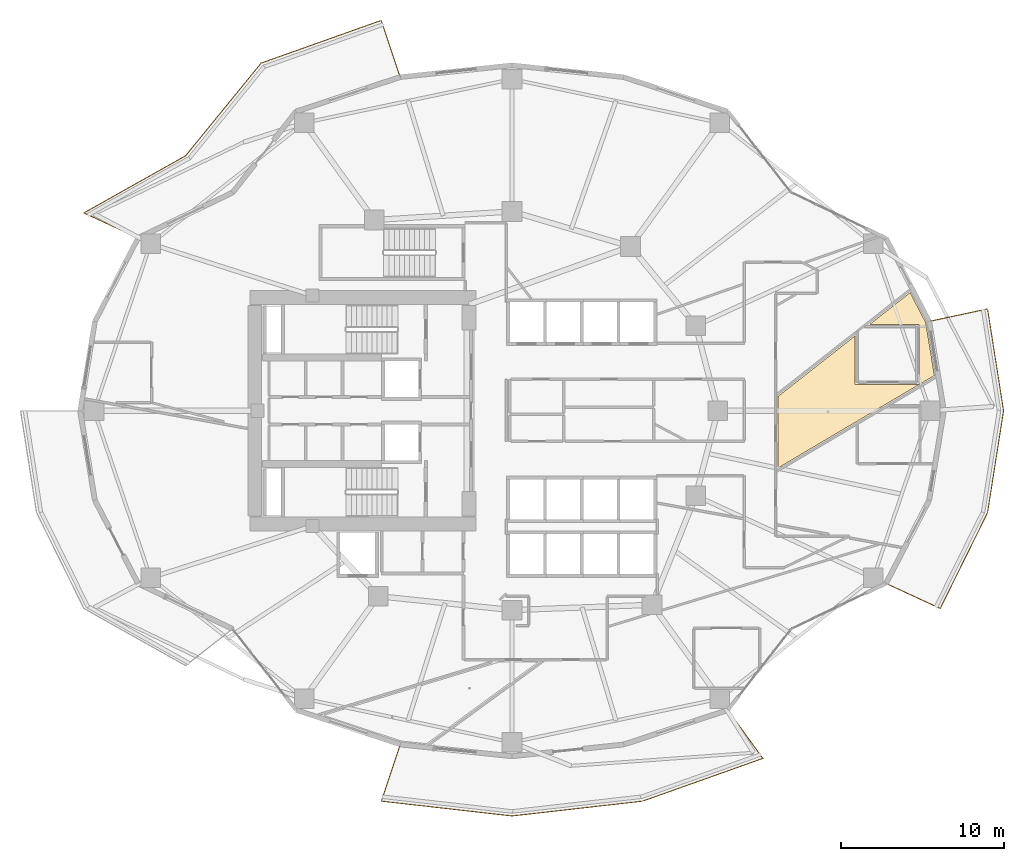
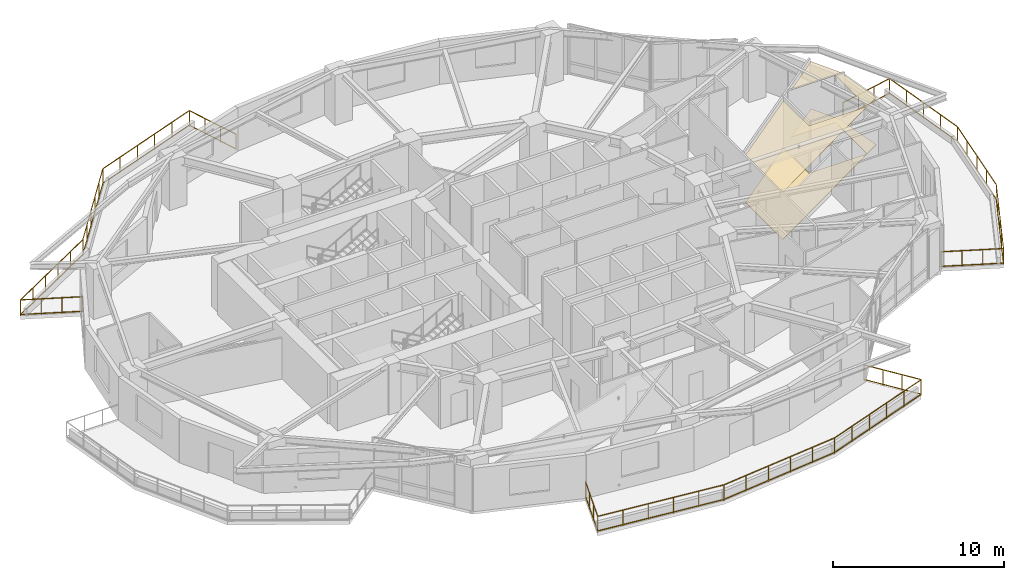
# One storey, part 18 of 19: 3 railings, 2 coverings.
"""IFC4 building model written with IfcOpenShell, lengths in metres."""

from ifc_helpers import new_model, si_unit, direction, frame, origin, origin_2d, place, context, subcontext, project, spatial, polyline, rectangle, outline, extrude, material, layer, layer_set, type_object, element, save


model = new_model("IFC4")

# Units and contexts
model_context = context("Model", 3, precision=1e-05, world=origin(), true_north=direction((0.0, 1.0)))
body_context = subcontext(model_context, "Body", "Model", "MODEL_VIEW")
ifc_project = project(units=[si_unit("LENGTHUNIT", "METRE"), si_unit("AREAUNIT", "SQUARE_METRE"), si_unit("VOLUMEUNIT", "CUBIC_METRE"), si_unit("PLANEANGLEUNIT", "RADIAN"), si_unit("MASSUNIT", "GRAM", prefix="KILO")], contexts=[model_context])

# Site, building, storey
site_placement = place(None, origin())
site = spatial("IfcSite", under=ifc_project, at=site_placement, CompositionType="ELEMENT")
building_placement = place(site_placement, origin())
building = spatial("IfcBuilding", under=site, at=building_placement, Name="Kolvaren Gate Tower and Convention Centre", CompositionType="ELEMENT")
storey_placement = place(building_placement, frame((0.0, 0.0, 68.85009765625)))
storey = spatial("IfcBuildingStorey", under=building, at=storey_placement, Name="L16", CompositionType="ELEMENT", Elevation=68.85009765625)

# Coverings
ifc_material_1 = material(Name="Perforated Mineral-Fibre Acoustic Ceiling Tile 18 mm", Category="gypsum")
ifc_layer_1 = layer(ifc_material_1, 0.01806640625)
ifc_layer_set_1 = layer_set([ifc_layer_1], Name="Perforated Mineral-Fibre Acoustic Ceiling Tile 18 mm")
covering_type_1 = type_object("IfcCoveringType", Name="ARCH-COV-CEIL-18", PredefinedType="CEILING", material=ifc_layer_set_1)
covering_1_placement = place(storey_placement, frame((0.0, 0.0, 3.389892578125)))
element("IfcCovering", 1, at=covering_1_placement, inside=storey, type_object=covering_type_1, Name="Legal Chambers Cellular Office Acoustic Suspended Ceiling", PredefinedType="CEILING", context=body_context, shape_type="SweptSolid", body=[
    extrude(outline(polyline([(55.98388671875, 29.158935546875), (46.409912109375, 23.4970703125), (46.409912109375, 27.87890625), (51.110107421875, 31.572021484375), (51.110107421875, 28.610107421875), (55.0400390625, 28.610107421875), (55.0400390625, 32.2900390625), (52.02392578125, 32.2900390625), (54.5009765625, 34.236083984375), (55.449951171875, 32.403076171875), (55.98388671875, 29.158935546875)])), origin(), (0.0, 0.0, 1.0), 0.01806640625),
])
ifc_material_2 = material(Name="Honed Sabana Limestone Terrazzo Flooring 30 mm", Category="masonry")
ifc_layer_2 = layer(ifc_material_2, 0.030029296875)
ifc_layer_set_2 = layer_set([ifc_layer_2], Name="Honed Sabana Limestone Terrazzo Flooring 30 mm")
covering_type_2 = type_object("IfcCoveringType", Name="ARCH-COV-FLR-30", PredefinedType="FLOORING", material=ifc_layer_set_2)
covering_2_placement = place(storey_placement, origin())
element("IfcCovering", 2, at=covering_2_placement, inside=storey, type_object=covering_type_2, Name="Legal Chambers Cellular Office Interior Finish Flooring", PredefinedType="FLOORING", context=body_context, shape_type="SweptSolid", body=[
    extrude(outline(polyline([(55.98388671875, 29.158935546875), (46.409912109375, 23.4970703125), (46.409912109375, 27.87890625), (51.110107421875, 31.572021484375), (51.110107421875, 28.610107421875), (55.0400390625, 28.610107421875), (55.0400390625, 32.2900390625), (52.02392578125, 32.2900390625), (54.5009765625, 34.236083984375), (55.449951171875, 32.403076171875), (55.98388671875, 29.158935546875)])), origin(), (0.0, 0.0, 1.0), 0.02978515625),
])

# Railings
ifc_material_3 = material(Name="Brushed Stainless Steel Grade 316L", Category="steel")
railing_type = type_object("IfcRailingType", Name="ARCH-RL-GUARD-1150", PredefinedType="GUARDRAIL", material=ifc_material_3)
railing_1_placement = place(storey_placement, frame((23.282470703125, 47.42919921875, 0.0)))
element("IfcRailing", 3, at=railing_1_placement, inside=storey, type_object=railing_type, Name="Tower L16 Terrace Perimeter Guardrail GR-1", PredefinedType="GUARDRAIL", context=body_context, shape_type="SweptSolid", body=[
    extrude(rectangle(XDim=0.048095703125, YDim=0.048095703125, at=origin_2d()), frame((-0.0087890625, 0.026611328125, 1.1259765625), z_axis=(-0.317568160167, 0.94823544737, 0.0), x_axis=(-0.94823544737, -0.317568160167, 0.0)), (0.0, 0.0, 1.0), 3.60400390625),
    extrude(rectangle(XDim=0.048095703125, YDim=0.048095703125, at=origin_2d()), frame((-0.0087890625, 0.026611328125, 0.083984375), z_axis=(-0.317568160167, 0.94823544737, 0.0), x_axis=(-0.94823544737, -0.317568160167, 0.0)), (0.0, 0.0, 1.0), 3.60400390625),
    extrude(rectangle(XDim=0.048095703125, YDim=0.048095703125, at=origin_2d()), frame((-1.188720703125, 3.46142578125, 1.1259765625), z_axis=(-0.942200211781, -0.335050385643, 0.0), x_axis=(0.335050385643, -0.942200211781, 0.0)), (0.0, 0.0, 1.0), 7.7509765625),
    extrude(rectangle(XDim=0.048095703125, YDim=0.048095703125, at=origin_2d()), frame((-1.188720703125, 3.46142578125, 0.083984375), z_axis=(-0.942200211781, -0.335050385643, 0.0), x_axis=(0.335050385643, -0.942200211781, 0.0)), (0.0, 0.0, 1.0), 7.7509765625),
    extrude(rectangle(XDim=0.048095703125, YDim=0.048095703125, at=origin_2d()), frame((-8.535888671875, 0.833251953125, 1.1259765625), z_axis=(-0.631819273026, -0.775115737315, 0.0), x_axis=(0.775115737315, -0.631819273026, 0.0)), (0.0, 0.0, 1.0), 7.259765625),
    extrude(rectangle(XDim=0.048095703125, YDim=0.048095703125, at=origin_2d()), frame((-8.535888671875, 0.833251953125, 0.083984375), z_axis=(-0.631819273026, -0.775115737315, 0.0), x_axis=(0.775115737315, -0.631819273026, 0.0)), (0.0, 0.0, 1.0), 7.259765625),
    extrude(rectangle(XDim=0.048095703125, YDim=0.048095703125, at=origin_2d()), frame((-13.164794921875, -4.829345703125, 1.1259765625), z_axis=(-0.871783301661, -0.489891697159, 0.0), x_axis=(0.489891697159, -0.871783301661, 0.0)), (0.0, 0.0, 1.0), 7.096435546875),
    extrude(rectangle(XDim=0.048095703125, YDim=0.048095703125, at=origin_2d()), frame((-13.164794921875, -4.829345703125, 0.083984375), z_axis=(-0.871783301661, -0.489891697159, 0.0), x_axis=(0.489891697159, -0.871783301661, 0.0)), (0.0, 0.0, 1.0), 7.096435546875),
    extrude(rectangle(XDim=0.048095703125, YDim=0.048095703125, at=origin_2d()), frame((-19.350341796875, -8.331298828125, 1.1259765625), z_axis=(0.907846116663, -0.419303503993, 0.0), x_axis=(0.419303503993, 0.907846116663, 0.0)), (0.0, 0.0, 1.0), 3.60400390625),
    extrude(rectangle(XDim=0.048095703125, YDim=0.048095703125, at=origin_2d()), frame((-19.350341796875, -8.331298828125, 0.083984375), z_axis=(0.907846116663, -0.419303503993, 0.0), x_axis=(0.419303503993, 0.907846116663, 0.0)), (0.0, 0.0, 1.0), 3.60400390625),
    extrude(rectangle(XDim=0.0419921875, YDim=0.0419921875, at=origin_2d()), origin(), (0.0, 0.0, 1.0), 1.14990234375),
    extrude(rectangle(XDim=0.0419921875, YDim=0.0419921875, at=origin_2d()), frame((-1.162353515625, 3.470703125, 0.0)), (0.0, 0.0, 1.0), 1.14990234375),
    extrude(rectangle(XDim=0.0419921875, YDim=0.0419921875, at=origin_2d()), frame((-0.387451171875, 1.156982421875, 0.0)), (0.0, 0.0, 1.0), 1.099853515625),
    extrude(rectangle(XDim=0.0419921875, YDim=0.0419921875, at=origin_2d()), frame((-0.77490234375, 2.313720703125, 0.0)), (0.0, 0.0, 1.0), 1.099853515625),
    extrude(rectangle(XDim=0.0419921875, YDim=0.0419921875, at=origin_2d()), frame((-8.51806640625, 0.85498046875, 0.0)), (0.0, 0.0, 1.0), 1.14990234375),
    extrude(rectangle(XDim=0.0419921875, YDim=0.0419921875, at=origin_2d()), frame((-2.633544921875, 2.947509765625, 0.0)), (0.0, 0.0, 1.0), 1.099853515625),
    extrude(rectangle(XDim=0.0419921875, YDim=0.0419921875, at=origin_2d()), frame((-4.104736328125, 2.42431640625, 0.0)), (0.0, 0.0, 1.0), 1.099853515625),
    extrude(rectangle(XDim=0.0419921875, YDim=0.0419921875, at=origin_2d()), frame((-5.57568359375, 1.9013671875, 0.0)), (0.0, 0.0, 1.0), 1.099853515625),
    extrude(rectangle(XDim=0.0419921875, YDim=0.0419921875, at=origin_2d()), frame((-7.046875, 1.378173828125, 0.0)), (0.0, 0.0, 1.0), 1.099853515625),
    extrude(rectangle(XDim=0.0419921875, YDim=0.0419921875, at=origin_2d()), frame((-13.140380859375, -4.815673828125, 0.0)), (0.0, 0.0, 1.0), 1.14990234375),
    extrude(rectangle(XDim=0.0419921875, YDim=0.0419921875, at=origin_2d()), frame((-9.442626953125, -0.279052734375, 0.0)), (0.0, 0.0, 1.0), 1.099853515625),
    extrude(rectangle(XDim=0.0419921875, YDim=0.0419921875, at=origin_2d()), frame((-10.366943359375, -1.413330078125, 0.0)), (0.0, 0.0, 1.0), 1.099853515625),
    extrude(rectangle(XDim=0.0419921875, YDim=0.0419921875, at=origin_2d()), frame((-11.29150390625, -2.54736328125, 0.0)), (0.0, 0.0, 1.0), 1.099853515625),
    extrude(rectangle(XDim=0.0419921875, YDim=0.0419921875, at=origin_2d()), frame((-12.2158203125, -3.681640625, 0.0)), (0.0, 0.0, 1.0), 1.099853515625),
    extrude(rectangle(XDim=0.0419921875, YDim=0.0419921875, at=origin_2d()), frame((-19.375732421875, -8.319580078125, 0.0)), (0.0, 0.0, 1.0), 1.14990234375),
    extrude(rectangle(XDim=0.0419921875, YDim=0.0419921875, at=origin_2d()), frame((-14.387451171875, -5.516357421875, 0.0)), (0.0, 0.0, 1.0), 1.099853515625),
    extrude(rectangle(XDim=0.0419921875, YDim=0.0419921875, at=origin_2d()), frame((-15.634521484375, -6.21728515625, 0.0)), (0.0, 0.0, 1.0), 1.099853515625),
    extrude(rectangle(XDim=0.0419921875, YDim=0.0419921875, at=origin_2d()), frame((-16.881591796875, -6.91796875, 0.0)), (0.0, 0.0, 1.0), 1.099853515625),
    extrude(rectangle(XDim=0.0419921875, YDim=0.0419921875, at=origin_2d()), frame((-18.128662109375, -7.618896484375, 0.0)), (0.0, 0.0, 1.0), 1.099853515625),
    extrude(rectangle(XDim=0.0419921875, YDim=0.0419921875, at=origin_2d()), frame((-16.052978515625, -9.854248046875, 0.0)), (0.0, 0.0, 1.0), 1.14990234375),
    extrude(rectangle(XDim=0.0419921875, YDim=0.0419921875, at=origin_2d()), frame((-18.26806640625, -8.8310546875, 0.0)), (0.0, 0.0, 1.0), 1.099853515625),
    extrude(rectangle(XDim=0.0419921875, YDim=0.0419921875, at=origin_2d()), frame((-17.16064453125, -9.3427734375, 0.0)), (0.0, 0.0, 1.0), 1.099853515625),
])
railing_2_placement = place(storey_placement, frame((23.282470703125, 6.57080078125, 0.0)))
element("IfcRailing", 4, at=railing_2_placement, inside=storey, type_object=railing_type, Name="Tower L16 Terrace Perimeter Guardrail GR-3", PredefinedType="GUARDRAIL", context=body_context, shape_type="SweptSolid", body=[
    extrude(rectangle(XDim=0.048095703125, YDim=0.048095703125, at=origin_2d()), frame((-0.0087890625, -0.026611328125, 1.1259765625), z_axis=(-0.317568160167, -0.94823544737, 0.0), x_axis=(0.94823544737, -0.317568160167, 0.0)), (0.0, 0.0, 1.0), 3.60400390625),
    extrude(rectangle(XDim=0.048095703125, YDim=0.048095703125, at=origin_2d()), frame((-0.0087890625, -0.026611328125, 0.083984375), z_axis=(-0.317568160167, -0.94823544737, 0.0), x_axis=(0.94823544737, -0.317568160167, 0.0)), (0.0, 0.0, 1.0), 3.60400390625),
    extrude(rectangle(XDim=0.048095703125, YDim=0.048095703125, at=origin_2d()), frame((-1.134521484375, -3.473876953125, 1.1259765625), z_axis=(0.993598144351, -0.112972242349, 0.0), x_axis=(0.112972242349, 0.993598144351, 0.0)), (0.0, 0.0, 1.0), 8.000244140625),
    extrude(rectangle(XDim=0.048095703125, YDim=0.048095703125, at=origin_2d()), frame((-1.134521484375, -3.473876953125, 0.083984375), z_axis=(0.993598144351, -0.112972242349, 0.0), x_axis=(0.112972242349, 0.993598144351, 0.0)), (0.0, 0.0, 1.0), 8.000244140625),
    extrude(rectangle(XDim=0.048095703125, YDim=0.048095703125, at=origin_2d()), frame((6.870361328125, -4.377685546875, 1.1259765625), z_axis=(0.993598144351, 0.112972242349, 0.0), x_axis=(-0.112972242349, 0.993598144351, 0.0)), (0.0, 0.0, 1.0), 8.000244140625),
    extrude(rectangle(XDim=0.048095703125, YDim=0.048095703125, at=origin_2d()), frame((6.870361328125, -4.377685546875, 0.083984375), z_axis=(0.993598144351, 0.112972242349, 0.0), x_axis=(-0.112972242349, 0.993598144351, 0.0)), (0.0, 0.0, 1.0), 8.000244140625),
    extrude(rectangle(XDim=0.048095703125, YDim=0.048095703125, at=origin_2d()), frame((14.873779296875, -3.46142578125, 1.1259765625), z_axis=(0.942200211781, 0.335050385643, 0.0), x_axis=(-0.335050385643, 0.942200211781, 0.0)), (0.0, 0.0, 1.0), 7.7509765625),
    extrude(rectangle(XDim=0.048095703125, YDim=0.048095703125, at=origin_2d()), frame((14.873779296875, -3.46142578125, 0.083984375), z_axis=(0.942200211781, 0.335050385643, 0.0), x_axis=(-0.335050385643, 0.942200211781, 0.0)), (0.0, 0.0, 1.0), 7.7509765625),
    extrude(rectangle(XDim=0.048095703125, YDim=0.048095703125, at=origin_2d()), frame((22.186767578125, -0.832275390625, 1.1259765625), z_axis=(-0.585212870465, 0.810879705161, 0.0), x_axis=(-0.810879705161, -0.585212870465, 0.0)), (0.0, 0.0, 1.0), 3.603759765625),
    extrude(rectangle(XDim=0.048095703125, YDim=0.048095703125, at=origin_2d()), frame((22.186767578125, -0.832275390625, 0.083984375), z_axis=(-0.585212870465, 0.810879705161, 0.0), x_axis=(-0.810879705161, -0.585212870465, 0.0)), (0.0, 0.0, 1.0), 3.603759765625),
    extrude(rectangle(XDim=0.0419921875, YDim=0.0419921875, at=origin_2d()), origin(), (0.0, 0.0, 1.0), 1.14990234375),
    extrude(rectangle(XDim=0.0419921875, YDim=0.0419921875, at=origin_2d()), frame((-1.162353515625, -3.470703125, 0.0)), (0.0, 0.0, 1.0), 1.14990234375),
    extrude(rectangle(XDim=0.0419921875, YDim=0.0419921875, at=origin_2d()), frame((-0.387451171875, -1.156982421875, 0.0)), (0.0, 0.0, 1.0), 1.099853515625),
    extrude(rectangle(XDim=0.0419921875, YDim=0.0419921875, at=origin_2d()), frame((-0.77490234375, -2.313720703125, 0.0)), (0.0, 0.0, 1.0), 1.099853515625),
    extrude(rectangle(XDim=0.0419921875, YDim=0.0419921875, at=origin_2d()), frame((6.842529296875, -4.380859375, 0.0)), (0.0, 0.0, 1.0), 1.14990234375),
    extrude(rectangle(XDim=0.0419921875, YDim=0.0419921875, at=origin_2d()), frame((0.438720703125, -3.65283203125, 0.0)), (0.0, 0.0, 1.0), 1.099853515625),
    extrude(rectangle(XDim=0.0419921875, YDim=0.0419921875, at=origin_2d()), frame((2.03955078125, -3.834716796875, 0.0)), (0.0, 0.0, 1.0), 1.099853515625),
    extrude(rectangle(XDim=0.0419921875, YDim=0.0419921875, at=origin_2d()), frame((3.640625, -4.016845703125, 0.0)), (0.0, 0.0, 1.0), 1.099853515625),
    extrude(rectangle(XDim=0.0419921875, YDim=0.0419921875, at=origin_2d()), frame((5.241455078125, -4.19873046875, 0.0)), (0.0, 0.0, 1.0), 1.099853515625),
    extrude(rectangle(XDim=0.0419921875, YDim=0.0419921875, at=origin_2d()), frame((14.847412109375, -3.470703125, 0.0)), (0.0, 0.0, 1.0), 1.14990234375),
    extrude(rectangle(XDim=0.0419921875, YDim=0.0419921875, at=origin_2d()), frame((8.443603515625, -4.19873046875, 0.0)), (0.0, 0.0, 1.0), 1.099853515625),
    extrude(rectangle(XDim=0.0419921875, YDim=0.0419921875, at=origin_2d()), frame((10.04443359375, -4.016845703125, 0.0)), (0.0, 0.0, 1.0), 1.099853515625),
    extrude(rectangle(XDim=0.0419921875, YDim=0.0419921875, at=origin_2d()), frame((11.6455078125, -3.834716796875, 0.0)), (0.0, 0.0, 1.0), 1.099853515625),
    extrude(rectangle(XDim=0.0419921875, YDim=0.0419921875, at=origin_2d()), frame((13.246337890625, -3.65283203125, 0.0)), (0.0, 0.0, 1.0), 1.099853515625),
    extrude(rectangle(XDim=0.0419921875, YDim=0.0419921875, at=origin_2d()), frame((22.203125, -0.85498046875, 0.0)), (0.0, 0.0, 1.0), 1.14990234375),
    extrude(rectangle(XDim=0.0419921875, YDim=0.0419921875, at=origin_2d()), frame((16.318603515625, -2.947509765625, 0.0)), (0.0, 0.0, 1.0), 1.099853515625),
    extrude(rectangle(XDim=0.0419921875, YDim=0.0419921875, at=origin_2d()), frame((17.789794921875, -2.42431640625, 0.0)), (0.0, 0.0, 1.0), 1.099853515625),
    extrude(rectangle(XDim=0.0419921875, YDim=0.0419921875, at=origin_2d()), frame((19.2607421875, -1.9013671875, 0.0)), (0.0, 0.0, 1.0), 1.099853515625),
    extrude(rectangle(XDim=0.0419921875, YDim=0.0419921875, at=origin_2d()), frame((20.73193359375, -1.378173828125, 0.0)), (0.0, 0.0, 1.0), 1.099853515625),
    extrude(rectangle(XDim=0.0419921875, YDim=0.0419921875, at=origin_2d()), frame((20.061279296875, 2.11279296875, 0.0)), (0.0, 0.0, 1.0), 1.14990234375),
    extrude(rectangle(XDim=0.0419921875, YDim=0.0419921875, at=origin_2d()), frame((21.4892578125, 0.13427734375, 0.0)), (0.0, 0.0, 1.0), 1.099853515625),
    extrude(rectangle(XDim=0.0419921875, YDim=0.0419921875, at=origin_2d()), frame((20.775146484375, 1.12353515625, 0.0)), (0.0, 0.0, 1.0), 1.099853515625),
])
railing_3_placement = place(storey_placement, frame((53.0205078125, 16.425048828125, 0.0)))
element("IfcRailing", 5, at=railing_3_placement, inside=storey, type_object=railing_type, Name="Tower L16 Terrace Perimeter Guardrail GR-4", PredefinedType="GUARDRAIL", context=body_context, shape_type="SweptSolid", body=[
    extrude(rectangle(XDim=0.048095703125, YDim=0.048095703125, at=origin_2d()), frame((0.025390625, -0.01171875, 1.1259765625), z_axis=(0.907846116663, -0.419303503993, 0.0), x_axis=(0.419303503993, 0.907846116663, 0.0)), (0.0, 0.0, 1.0), 3.60400390625),
    extrude(rectangle(XDim=0.048095703125, YDim=0.048095703125, at=origin_2d()), frame((0.025390625, -0.01171875, 0.083984375), z_axis=(0.907846116663, -0.419303503993, 0.0), x_axis=(0.419303503993, 0.907846116663, 0.0)), (0.0, 0.0, 1.0), 3.60400390625),
    extrude(rectangle(XDim=0.048095703125, YDim=0.048095703125, at=origin_2d()), frame((3.335205078125, -1.509521484375, 1.1259765625), z_axis=(0.442686636348, 0.89667638644, 0.0), x_axis=(-0.89667638644, 0.442686636348, 0.0)), (0.0, 0.0, 1.0), 6.488525390625),
    extrude(rectangle(XDim=0.048095703125, YDim=0.048095703125, at=origin_2d()), frame((3.335205078125, -1.509521484375, 0.083984375), z_axis=(0.442686636348, 0.89667638644, 0.0), x_axis=(-0.89667638644, 0.442686636348, 0.0)), (0.0, 0.0, 1.0), 6.488525390625),
    extrude(rectangle(XDim=0.048095703125, YDim=0.048095703125, at=origin_2d()), frame((6.224365234375, 4.361328125, 1.1259765625), z_axis=(0.155418843943, 0.98784866399, 0.0), x_axis=(-0.98784866399, 0.155418843943, 0.0)), (0.0, 0.0, 1.0), 6.261962890625),
    extrude(rectangle(XDim=0.048095703125, YDim=0.048095703125, at=origin_2d()), frame((6.224365234375, 4.361328125, 0.083984375), z_axis=(0.155418843943, 0.98784866399, 0.0), x_axis=(-0.98784866399, 0.155418843943, 0.0)), (0.0, 0.0, 1.0), 6.261962890625),
    extrude(rectangle(XDim=0.048095703125, YDim=0.048095703125, at=origin_2d()), frame((7.197509765625, 10.6025390625, 1.1259765625), z_axis=(-0.155418843943, 0.98784866399, 0.0), x_axis=(-0.98784866399, -0.155418843943, 0.0)), (0.0, 0.0, 1.0), 6.261962890625),
    extrude(rectangle(XDim=0.048095703125, YDim=0.048095703125, at=origin_2d()), frame((7.197509765625, 10.6025390625, 0.083984375), z_axis=(-0.155418843943, 0.98784866399, 0.0), x_axis=(-0.98784866399, -0.155418843943, 0.0)), (0.0, 0.0, 1.0), 6.261962890625),
    extrude(rectangle(XDim=0.048095703125, YDim=0.048095703125, at=origin_2d()), frame((6.192626953125, 16.810302734375, 1.1259765625), z_axis=(-0.977791675321, -0.209579196661, 0.0), x_axis=(0.209579196661, -0.977791675321, 0.0)), (0.0, 0.0, 1.0), 3.60400390625),
    extrude(rectangle(XDim=0.048095703125, YDim=0.048095703125, at=origin_2d()), frame((6.192626953125, 16.810302734375, 0.083984375), z_axis=(-0.977791675321, -0.209579196661, 0.0), x_axis=(0.209579196661, -0.977791675321, 0.0)), (0.0, 0.0, 1.0), 3.60400390625),
    extrude(rectangle(XDim=0.0419921875, YDim=0.0419921875, at=origin_2d()), origin(), (0.0, 0.0, 1.0), 1.14990234375),
    extrude(rectangle(XDim=0.0419921875, YDim=0.0419921875, at=origin_2d()), frame((3.32275390625, -1.53466796875, 0.0)), (0.0, 0.0, 1.0), 1.14990234375),
    extrude(rectangle(XDim=0.0419921875, YDim=0.0419921875, at=origin_2d()), frame((1.107666015625, -0.511474609375, 0.0)), (0.0, 0.0, 1.0), 1.099853515625),
    extrude(rectangle(XDim=0.0419921875, YDim=0.0419921875, at=origin_2d()), frame((2.215087890625, -1.023193359375, 0.0)), (0.0, 0.0, 1.0), 1.099853515625),
    extrude(rectangle(XDim=0.0419921875, YDim=0.0419921875, at=origin_2d()), frame((6.219970703125, 4.333740234375, 0.0)), (0.0, 0.0, 1.0), 1.14990234375),
    extrude(rectangle(XDim=0.0419921875, YDim=0.0419921875, at=origin_2d()), frame((4.047119140625, -0.067626953125, 0.0)), (0.0, 0.0, 1.0), 1.099853515625),
    extrude(rectangle(XDim=0.0419921875, YDim=0.0419921875, at=origin_2d()), frame((4.771484375, 1.3994140625, 0.0)), (0.0, 0.0, 1.0), 1.099853515625),
    extrude(rectangle(XDim=0.0419921875, YDim=0.0419921875, at=origin_2d()), frame((5.49560546875, 2.86669921875, 0.0)), (0.0, 0.0, 1.0), 1.099853515625),
    extrude(rectangle(XDim=0.0419921875, YDim=0.0419921875, at=origin_2d()), frame((7.201904296875, 10.574951171875, 0.0)), (0.0, 0.0, 1.0), 1.14990234375),
    extrude(rectangle(XDim=0.0419921875, YDim=0.0419921875, at=origin_2d()), frame((6.46533203125, 5.89404296875, 0.0)), (0.0, 0.0, 1.0), 1.099853515625),
    extrude(rectangle(XDim=0.0419921875, YDim=0.0419921875, at=origin_2d()), frame((6.7109375, 7.454345703125, 0.0)), (0.0, 0.0, 1.0), 1.099853515625),
    extrude(rectangle(XDim=0.0419921875, YDim=0.0419921875, at=origin_2d()), frame((6.95654296875, 9.0146484375, 0.0)), (0.0, 0.0, 1.0), 1.099853515625),
    extrude(rectangle(XDim=0.0419921875, YDim=0.0419921875, at=origin_2d()), frame((6.219970703125, 16.816162109375, 0.0)), (0.0, 0.0, 1.0), 1.14990234375),
    extrude(rectangle(XDim=0.0419921875, YDim=0.0419921875, at=origin_2d()), frame((6.95654296875, 12.13525390625, 0.0)), (0.0, 0.0, 1.0), 1.099853515625),
    extrude(rectangle(XDim=0.0419921875, YDim=0.0419921875, at=origin_2d()), frame((6.7109375, 13.695556640625, 0.0)), (0.0, 0.0, 1.0), 1.099853515625),
    extrude(rectangle(XDim=0.0419921875, YDim=0.0419921875, at=origin_2d()), frame((6.46533203125, 15.255859375, 0.0)), (0.0, 0.0, 1.0), 1.099853515625),
    extrude(rectangle(XDim=0.0419921875, YDim=0.0419921875, at=origin_2d()), frame((2.64111328125, 16.049072265625, 0.0)), (0.0, 0.0, 1.0), 1.14990234375),
    extrude(rectangle(XDim=0.0419921875, YDim=0.0419921875, at=origin_2d()), frame((5.027099609375, 16.560546875, 0.0)), (0.0, 0.0, 1.0), 1.099853515625),
    extrude(rectangle(XDim=0.0419921875, YDim=0.0419921875, at=origin_2d()), frame((3.833984375, 16.3046875, 0.0)), (0.0, 0.0, 1.0), 1.099853515625),
])

save(model, "model.ifc")
